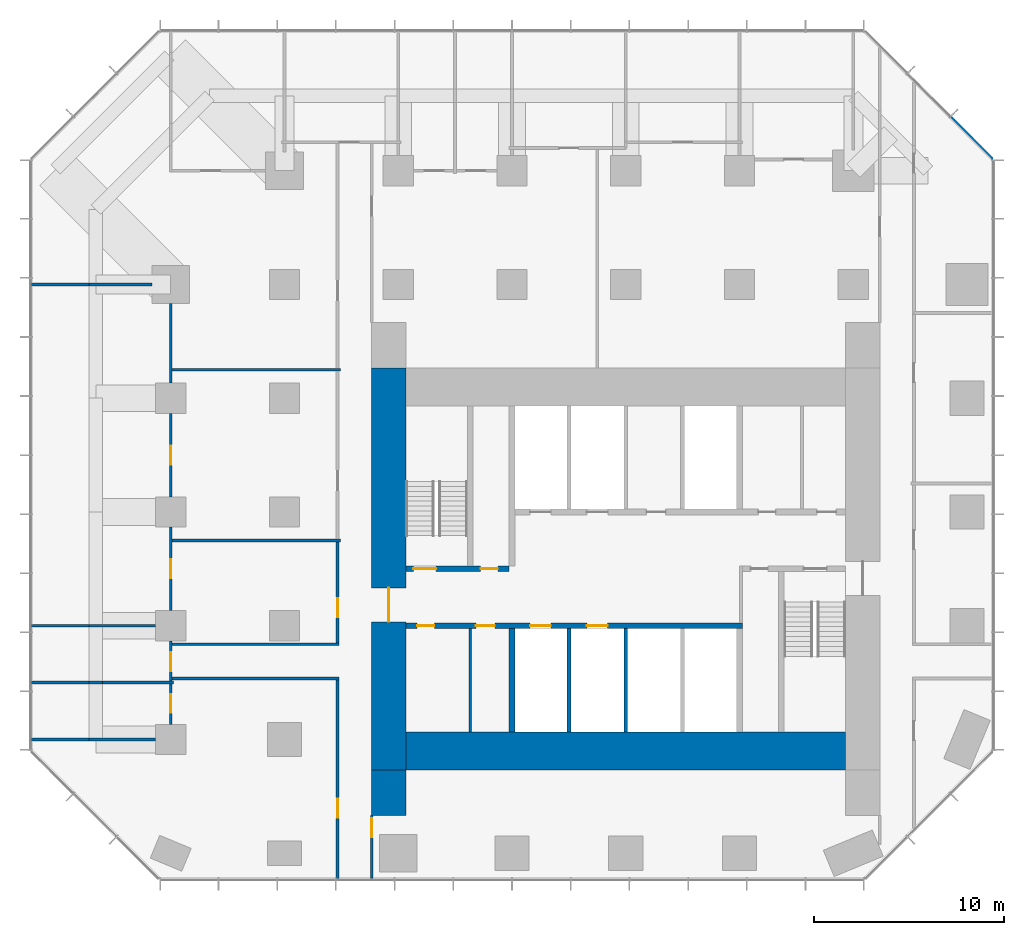
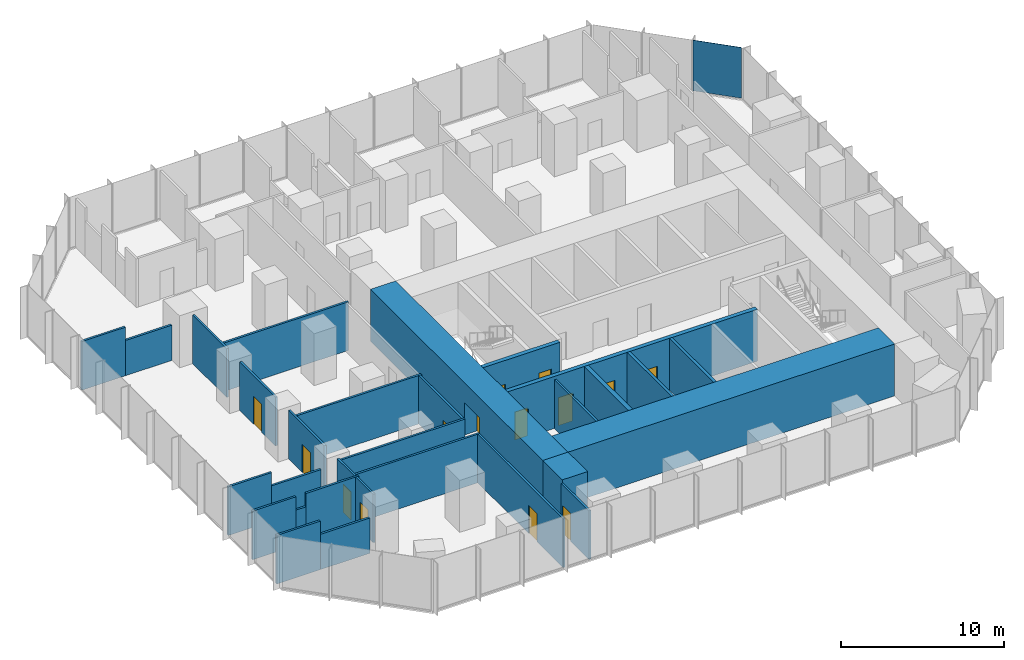
# One storey, part 8 of 12: 30 walls, 14 doors, 1 plate, 14 openings, 1 element without a shape of its own.
"""IFC4 building model written with IfcOpenShell, lengths in metres."""

import ifcopenshell
import ifcopenshell.guid

model = None  # the IFC model being written
_history = None  # IfcOwnerHistory: only IFC2X3 demands one
_inside = {}  # id of a spatial element -> (the spatial element, [elements in it])
_under = {}  # id of a project, library or spatial element -> (it, [spatial elements below it])
_declared = {}  # id of a project -> (the project, [libraries it declares])
_typed = {}  # id of a type object -> (the type object, [elements of that type])
_made_of = {}  # id of a material, layer set ... -> (it, [elements and type objects made of it])


def new_model(schema):
    """Start an empty IFC model of exactly this schema.

    Asked for "IFC4X3", IfcOpenShell would pick the latest addendum, in which some entities
    have other attributes; the version numbers below select the first issue.
    IFC2X3 requires an IfcOwnerHistory on every rooted entity: one is made here for all.
    """
    global model, _history
    if schema == "IFC4X3":
        model = ifcopenshell.file(schema_version=(4, 3, 0, 0))
    else:
        model = ifcopenshell.file(schema=schema)
    _inside.clear()
    _under.clear()
    _declared.clear()
    _typed.clear()
    _made_of.clear()
    _history = None
    if model.schema == "IFC2X3":
        org = make("IfcOrganization", Name="unknown")
        user = make(
            "IfcPersonAndOrganization",
            ThePerson=make("IfcPerson", FamilyName="unknown"),
            TheOrganization=org,
        )
        app = make(
            "IfcApplication",
            ApplicationDeveloper=org,
            Version="unknown",
            ApplicationFullName="unknown",
            ApplicationIdentifier="unknown",
        )
        _history = make(
            "IfcOwnerHistory",
            OwningUser=user,
            OwningApplication=app,
            ChangeAction="ADDED",
            CreationDate=0,
        )
    return model


def make(cls, **values):
    """One entity of the class cls with the attributes given. An attribute that is None is left unset."""
    return model.create_entity(
        cls, **{name: value for name, value in values.items() if value is not None}
    )


def rooted(cls, **values):
    """An entity with a GlobalId (a new one), such as an element, a storey or a relation."""
    return make(cls, GlobalId=ifcopenshell.guid.new(), OwnerHistory=_history, **values)


def si_unit(unit_type, name, prefix=None):
    """IfcSIUnit, for example si_unit("LENGTHUNIT", "METRE", prefix="MILLI")."""
    return make("IfcSIUnit", UnitType=unit_type, Prefix=prefix, Name=name)


def assignment(units):
    """IfcUnitAssignment: the units of a project."""
    return None if units is None else make("IfcUnitAssignment", Units=units)


def point(xyz):
    """IfcCartesianPoint."""
    return None if xyz is None else make("IfcCartesianPoint", Coordinates=xyz)


def direction(xyz):
    """IfcDirection."""
    return None if xyz is None else make("IfcDirection", DirectionRatios=xyz)


def frame(location, z_axis=None, x_axis=None):
    """IfcAxis2Placement3D, a coordinate frame: its origin and axes. An axis left out is left unset."""
    return make(
        "IfcAxis2Placement3D",
        Location=point(location),
        Axis=direction(z_axis),
        RefDirection=direction(x_axis),
    )


def frame_2d(location, x_axis=None):
    """IfcAxis2Placement2D, a coordinate frame in the plane: its origin and x axis."""
    return make(
        "IfcAxis2Placement2D", Location=point(location), RefDirection=direction(x_axis)
    )


def origin():
    """The frame at (0, 0, 0) with its axes left unset."""
    return frame((0.0, 0.0, 0.0))


def origin_2d():
    """The frame at (0, 0) in the plane with its x axis left unset."""
    return frame_2d((0.0, 0.0))


def place(relative_to, where):
    """IfcLocalPlacement: puts the frame where relative to a parent placement (None: the world)."""
    return make(
        "IfcLocalPlacement", PlacementRelTo=relative_to, RelativePlacement=where
    )


def context(
    kind, dimensions, precision=None, world=None, true_north=None, identifier=None
):
    """IfcGeometricRepresentationContext, for example the 3D "Model" context."""
    return make(
        "IfcGeometricRepresentationContext",
        ContextIdentifier=identifier,
        ContextType=kind,
        CoordinateSpaceDimension=dimensions,
        Precision=precision,
        WorldCoordinateSystem=world,
        TrueNorth=true_north,
    )


def subcontext(parent, identifier, kind, view, scale=None):
    """IfcGeometricRepresentationSubContext, for example "Body" below "Model"."""
    return make(
        "IfcGeometricRepresentationSubContext",
        ContextIdentifier=identifier,
        ContextType=kind,
        ParentContext=parent,
        TargetScale=scale,
        TargetView=view,
    )


def project(units=None, contexts=None):
    """IfcProject with its units and contexts."""
    return rooted(
        "IfcProject",
        Name="project",
        RepresentationContexts=contexts,
        UnitsInContext=assignment(units),
    )


def spatial(cls, under=None, at=None, **own):
    """A site, building, storey or space (cls), placed at a placement, below another one or the project."""
    s = rooted(cls, ObjectPlacement=at, **own)
    if under is not None:
        _under.setdefault(under.id(), (under, []))[1].append(s)
    return s


def profile(cls, at=None, kind="AREA", **sizes):
    """A parametric profile (cls). Its sizes go by their IFC names, for example OverallWidth=200.0."""
    return make(cls, ProfileType=kind, Position=at, **sizes)


def rectangle(**sizes):
    """IfcRectangleProfileDef."""
    return profile("IfcRectangleProfileDef", **sizes)


def extrude(swept, where, along, depth):
    """IfcExtrudedAreaSolid: the profile swept, set in the frame where, extruded along a direction by depth."""
    return make(
        "IfcExtrudedAreaSolid",
        SweptArea=swept,
        Position=where,
        ExtrudedDirection=direction(along),
        Depth=depth,
    )


def shape(context_of_items, identifier, shape_type, items):
    """IfcShapeRepresentation: the items that make up one representation, for example the "Body"."""
    return make(
        "IfcShapeRepresentation",
        ContextOfItems=context_of_items,
        RepresentationIdentifier=identifier,
        RepresentationType=shape_type,
        Items=items,
    )


def material(Name=None, Category=None):
    """IfcMaterial."""
    return make("IfcMaterial", Name=Name, Category=Category)


def layer(
    of_material, thickness, ventilated=None, Name=None, Category=None, Priority=None
):
    """IfcMaterialLayer: one layer of a wall or slab, of a material (None: an air gap)."""
    return make(
        "IfcMaterialLayer",
        Material=of_material,
        LayerThickness=thickness,
        IsVentilated=ventilated,
        Name=Name,
        Category=Category,
        Priority=Priority,
    )


def layer_set(layers, Name=None):
    """IfcMaterialLayerSet."""
    return make("IfcMaterialLayerSet", MaterialLayers=layers, LayerSetName=Name)


def made_of(thing, what):
    """Note that an element or type object is made of a material, layer set ...; save() writes the relation."""
    if what is not None:
        _made_of.setdefault(what.id(), (what, []))[1].append(thing)
    return thing


def type_object(cls, material=None, **own):
    """A type object (cls), such as IfcWallType, which elements share."""
    return made_of(rooted(cls, **own), material)


def element(
    cls,
    number,
    at=None,
    inside=None,
    cuts=None,
    type_object=None,
    material=None,
    context=None,
    identifier="Body",
    shape_type=None,
    held_by="IfcProductDefinitionShape",
    body=None,
    shapes=None,
    **own,
):
    """One element of the class cls, such as IfcWall. Its Tag is "e" and its number.

    at: its placement. inside: the storey or other place that contains it. cuts: it is an
    opening in that element (IfcRelVoidsElement). A single representation is given by context,
    identifier, shape_type and body (its items); several are given by shapes. held_by: the class
    of the entity that holds the representations. save() writes the other relations.
    """
    e = rooted(cls, Tag="e%d" % number, ObjectPlacement=at, **own)
    if body is not None:
        shapes = [shape(context, identifier, shape_type, body)]
    if shapes is not None:
        e.Representation = make(held_by, Representations=shapes)
    if inside is not None:
        _inside.setdefault(inside.id(), (inside, []))[1].append(e)
    if cuts is not None:
        rooted(
            "IfcRelVoidsElement", RelatingBuildingElement=cuts, RelatedOpeningElement=e
        )
    if type_object is not None:
        _typed.setdefault(type_object.id(), (type_object, []))[1].append(e)
    return made_of(e, material)


def fill(opening, filler):
    """IfcRelFillsElement: the door or window that sits in an opening."""
    return rooted(
        "IfcRelFillsElement",
        RelatingOpeningElement=opening,
        RelatedBuildingElement=filler,
    )


def aggregate(whole, parts):
    """IfcRelAggregates: a whole, such as a stair, and the parts it consists of."""
    return rooted("IfcRelAggregates", RelatingObject=whole, RelatedObjects=parts)


def save(model, path):
    """Write the relations noted so far, then the file.

    IfcRelAggregates (storeys below a building ...), IfcRelContainedInSpatialStructure (elements
    in a storey), IfcRelDefinesByType, IfcRelAssociatesMaterial and IfcRelDeclares: one each for
    every whole, place, type object, material and project.
    """
    for whole, parts in _under.values():
        aggregate(whole, parts)
    for where, things in _inside.values():
        rooted(
            "IfcRelContainedInSpatialStructure",
            RelatedElements=things,
            RelatingStructure=where,
        )
    for kind, things in _typed.values():
        rooted("IfcRelDefinesByType", RelatedObjects=things, RelatingType=kind)
    for what, things in _made_of.values():
        rooted("IfcRelAssociatesMaterial", RelatedObjects=things, RelatingMaterial=what)
    for by, libraries in _declared.values():
        rooted("IfcRelDeclares", RelatingContext=by, RelatedDefinitions=libraries)
    model.write(path)


model = new_model("IFC4")

# Units and contexts
model_context = context("Model", 3, precision=1e-05, world=origin(), true_north=direction((0.0, 1.0)))
body_context = subcontext(model_context, "Body", "Model", "MODEL_VIEW")
ifc_project = project(units=[si_unit("LENGTHUNIT", "METRE"), si_unit("AREAUNIT", "SQUARE_METRE"), si_unit("VOLUMEUNIT", "CUBIC_METRE"), si_unit("PLANEANGLEUNIT", "RADIAN"), si_unit("MASSUNIT", "GRAM", prefix="KILO")], contexts=[model_context])

# Site, building, storey
site_placement = place(None, origin())
site = spatial("IfcSite", under=ifc_project, at=site_placement, CompositionType="ELEMENT")
building_placement = place(site_placement, origin())
building = spatial("IfcBuilding", under=site, at=building_placement, Name="Highveld Stack Headquarters", CompositionType="ELEMENT")
storey_placement = place(building_placement, frame((0.0, 0.0, 101.60009765625)))
storey = spatial("IfcBuildingStorey", under=building, at=storey_placement, Name="L24", CompositionType="ELEMENT", Elevation=101.60009765625)

# Curtain wall, plate
ifc_material_1 = material(Name="Aluminium bronze anodised", Category="aluminium")
ifc_layer_1 = layer(ifc_material_1, 0.199951171875)
ifc_layer_set_1 = layer_set([ifc_layer_1], Name="Aluminium bronze anodised")
curtain_wall_type = type_object("IfcCurtainWallType", Name="CW2 TOWER CHAMFER UNITISED CURTAIN WALL", PredefinedType="NOTDEFINED", material=ifc_layer_set_1)
curtain_wall_placement = place(storey_placement, origin())
curtain_wall = element("IfcCurtainWall", 1, at=curtain_wall_placement, inside=storey, type_object=curtain_wall_type, Name="Curtain wall CW2 L24 NE", PredefinedType="NOTDEFINED")
ifc_material_2 = material(Name="Glass bronze tinted double glazed unit", Category="glass")
ifc_layer_2 = layer(ifc_material_2, 0.028076171875)
ifc_layer_set_2 = layer_set([ifc_layer_2], Name="Glass bronze tinted double glazed unit")
plate_type = type_object("IfcPlateType", Name="CW2 PANEL BRONZE TINTED DOUBLE GLAZED UNIT", PredefinedType="CURTAIN_PANEL", material=ifc_layer_set_2)
plate_placement = place(storey_placement, frame((24.239501953125, 25.740478515625, 0.10009765625), z_axis=(0.0, 0.0, 1.0), x_axis=(-0.707106781187, 0.707106781187, 0.0)))
plate = element("IfcPlate", 2, at=plate_placement, type_object=plate_type, Name="CW2 panel L24 1.1", PredefinedType="CURTAIN_PANEL", context=body_context, shape_type="SweptSolid", body=[
    extrude(rectangle(XDim=3.08251953125, YDim=0.028076171875, at=origin_2d()), origin(), (0.0, 0.0, 1.0), 3.800048828125),
])
aggregate(curtain_wall, [plate])

# Wall, opening, door
ifc_material_3 = material(Name="Concrete C60/75", Category="concrete")
ifc_layer_3 = layer(ifc_material_3, 1.800048828125)
ifc_layer_set_3 = layer_set([ifc_layer_3], Name="Concrete C60/75")
wall_type_1 = type_object("IfcWallType", Name="CORE WALL 1800 C60/75", PredefinedType="SHEAR", material=ifc_layer_set_3)
wall_1_placement = place(storey_placement, frame((-6.5, -7.60009765625, 0.0), z_axis=(0.0, 0.0, 1.0), x_axis=(0.0, 1.0, 0.0)))
wall_1 = element("IfcWall", 3, at=wall_1_placement, inside=storey, type_object=wall_type_1, Name="Core wall W L24", PredefinedType="SHEAR", context=body_context, shape_type="SweptSolid", body=[
    extrude(rectangle(XDim=21.2001953125, YDim=1.800048828125, at=frame_2d((10.60009765625, 0.0))), origin(), (0.0, 0.0, 1.0), 3.89990234375),
])
opening_1_placement = place(wall_1_placement, frame((7.800048828125, 0.0, 0.0)))
opening_1 = element("IfcOpeningElement", 4, at=opening_1_placement, cuts=wall_1, Name="Opening L24-01", PredefinedType="OPENING", context=body_context, shape_type="SweptSolid", body=[
    extrude(rectangle(XDim=1.800048828125, YDim=2.39990234375, at=frame_2d((0.89990234375, 1.199951171875))), frame((0.0, 0.909912109375, 0.0), z_axis=(0.0, -1.0, 0.0), x_axis=(1.0, 0.0, 0.0)), (0.0, 0.0, 1.0), 1.820068359375),
])
ifc_material_4 = material(Name="Steel fire door", Category="steel")
door_type_1 = type_object("IfcDoorType", Name="LOBBY FIRE DOOR D4 1800x2400", OperationType="DOUBLE_DOOR_SINGLE_SWING", PredefinedType="DOOR", material=ifc_material_4)
door_1_placement = place(opening_1_placement, origin())
door_1 = element("IfcDoor", 5, at=door_1_placement, inside=storey, type_object=door_type_1, Name="Core west door L24", OperationType="DOUBLE_DOOR_SINGLE_SWING", OverallHeight=2.39990234375, OverallWidth=1.800048828125, PredefinedType="DOOR", context=body_context, shape_type="SweptSolid", body=[
    extrude(rectangle(XDim=1.800048828125, YDim=2.39990234375, at=frame_2d((0.89990234375, 1.199951171875))), frame((0.0, 0.02490234375, 0.0), z_axis=(0.0, -1.0, 0.0), x_axis=(1.0, 0.0, 0.0)), (0.0, 0.0, 1.0), 0.050048828125),
])
fill(opening_1, door_1)

# Wall
ifc_material_5 = material(Name="Concrete C60/75", Category="concrete")
ifc_layer_4 = layer(ifc_material_5, 2.0)
ifc_layer_set_4 = layer_set([ifc_layer_4], Name="Concrete C60/75")
wall_type_2 = type_object("IfcWallType", Name="CORE WALL 2000 C60/75", PredefinedType="SHEAR", material=ifc_layer_set_4)
wall_2_placement = place(storey_placement, frame((-5.60009765625, -6.60009765625, 0.0), z_axis=(0.0, 0.0, 1.0), x_axis=(1.0, 0.0, 0.0)))
element("IfcWall", 6, at=wall_2_placement, inside=storey, type_object=wall_type_2, Name="Core wall S L24", PredefinedType="SHEAR", context=body_context, shape_type="SweptSolid", body=[
    extrude(rectangle(XDim=23.2001953125, YDim=2.0, at=frame_2d((11.60009765625, 0.0))), origin(), (0.0, 0.0, 1.0), 3.89990234375),
])

# Wall, openings, doors
ifc_material_6 = material(Name="Concrete C60/75", Category="concrete")
ifc_layer_5 = layer(ifc_material_6, 0.300048828125)
ifc_layer_set_5 = layer_set([ifc_layer_5], Name="Concrete C60/75")
wall_type_3 = type_object("IfcWallType", Name="CORE WALL 300 C60/75", PredefinedType="SHEAR", material=ifc_layer_set_5)
wall_3_placement = place(storey_placement, frame((-5.60009765625, 0.0, 0.0), z_axis=(0.0, 0.0, 1.0), x_axis=(1.0, 0.0, 0.0)))
wall_3 = element("IfcWall", 7, at=wall_3_placement, inside=storey, type_object=wall_type_3, Name="Core wall I-Y0 L24", PredefinedType="SHEAR", context=body_context, shape_type="SweptSolid", body=[
    extrude(rectangle(XDim=17.75, YDim=0.300048828125, at=frame_2d((8.875, 0.0))), origin(), (0.0, 0.0, 1.0), 3.89990234375),
])
opening_2_placement = place(wall_3_placement, frame((0.60009765625, 0.0, 0.0)))
opening_2 = element("IfcOpeningElement", 8, at=opening_2_placement, cuts=wall_3, Name="Opening L24-07", PredefinedType="OPENING", context=body_context, shape_type="SweptSolid", body=[
    extrude(rectangle(XDim=0.89990234375, YDim=2.10009765625, at=frame_2d((0.449951171875, 1.050048828125))), frame((0.0, 0.159912109375, 0.0), z_axis=(0.0, -1.0, 0.0), x_axis=(1.0, 0.0, 0.0)), (0.0, 0.0, 1.0), 0.320068359375),
])
opening_3_placement = place(wall_3_placement, frame((3.699951171875, 0.0, 0.0)))
opening_3 = element("IfcOpeningElement", 9, at=opening_3_placement, cuts=wall_3, Name="Opening L24-08", PredefinedType="OPENING", context=body_context, shape_type="SweptSolid", body=[
    extrude(rectangle(XDim=1.0, YDim=2.10009765625, at=frame_2d((0.5, 1.050048828125))), frame((0.0, 0.159912109375, 0.0), z_axis=(0.0, -1.0, 0.0), x_axis=(1.0, 0.0, 0.0)), (0.0, 0.0, 1.0), 0.320068359375),
])
opening_4_placement = place(wall_3_placement, frame((6.550048828125, 0.0, 0.0)))
opening_4 = element("IfcOpeningElement", 10, at=opening_4_placement, cuts=wall_3, Name="Opening LD", PredefinedType="OPENING", context=body_context, shape_type="SweptSolid", body=[
    extrude(rectangle(XDim=1.10009765625, YDim=2.10009765625, at=frame_2d((0.550048828125, 1.050048828125))), frame((0.0, 0.159912109375, 0.0), z_axis=(0.0, -1.0, 0.0), x_axis=(1.0, 0.0, 0.0)), (0.0, 0.0, 1.0), 0.320068359375),
])
opening_5_placement = place(wall_3_placement, frame((9.550048828125, 0.0, 0.0)))
opening_5 = element("IfcOpeningElement", 11, at=opening_5_placement, cuts=wall_3, Name="Opening LD", PredefinedType="OPENING", context=body_context, shape_type="SweptSolid", body=[
    extrude(rectangle(XDim=1.10009765625, YDim=2.10009765625, at=frame_2d((0.550048828125, 1.050048828125))), frame((0.0, 0.159912109375, 0.0), z_axis=(0.0, -1.0, 0.0), x_axis=(1.0, 0.0, 0.0)), (0.0, 0.0, 1.0), 0.320068359375),
])
ifc_material_7 = material(Name="Steel fire door", Category="steel")
door_type_2 = type_object("IfcDoorType", Name="CORE ROOM FIRE DOOR D14 1000x2100", OperationType="SINGLE_SWING_LEFT", PredefinedType="DOOR", material=ifc_material_7)
door_2_placement = place(opening_3_placement, origin())
door_2 = element("IfcDoor", 12, at=door_2_placement, inside=storey, type_object=door_type_2, Name="Cleaners store door L24", OperationType="SINGLE_SWING_LEFT", OverallHeight=2.10009765625, OverallWidth=1.0, PredefinedType="DOOR", context=body_context, shape_type="SweptSolid", body=[
    extrude(rectangle(XDim=1.0, YDim=2.10009765625, at=frame_2d((0.5, 1.050048828125))), frame((0.0, 0.02490234375, 0.0), z_axis=(0.0, -1.0, 0.0), x_axis=(1.0, 0.0, 0.0)), (0.0, 0.0, 1.0), 0.050048828125),
])
fill(opening_3, door_2)
ifc_material_8 = material(Name="Stainless steel lift landing door", Category="steel")
door_type_3 = type_object("IfcDoorType", Name="LIFT LANDING DOOR LD 1100x2100", OperationType="DOUBLE_DOOR_SLIDING", PredefinedType="USERDEFINED", material=ifc_material_8)
door_3_placement = place(opening_4_placement, origin())
door_3 = element("IfcDoor", 13, at=door_3_placement, inside=storey, type_object=door_type_3, Name="Lift landing door B1 L24", ObjectType="LIFT LANDING DOOR", OperationType="DOUBLE_DOOR_SLIDING", OverallHeight=2.10009765625, OverallWidth=1.10009765625, PredefinedType="USERDEFINED", context=body_context, shape_type="SweptSolid", body=[
    extrude(rectangle(XDim=1.10009765625, YDim=2.10009765625, at=frame_2d((0.550048828125, 1.050048828125))), frame((0.0, 0.02490234375, 0.0), z_axis=(0.0, -1.0, 0.0), x_axis=(1.0, 0.0, 0.0)), (0.0, 0.0, 1.0), 0.050048828125),
])
fill(opening_4, door_3)
door_4_placement = place(opening_5_placement, origin())
door_4 = element("IfcDoor", 14, at=door_4_placement, inside=storey, type_object=door_type_3, Name="Lift landing door B2 L24", ObjectType="LIFT LANDING DOOR", OperationType="DOUBLE_DOOR_SLIDING", OverallHeight=2.10009765625, OverallWidth=1.10009765625, PredefinedType="USERDEFINED", context=body_context, shape_type="SweptSolid", body=[
    extrude(rectangle(XDim=1.10009765625, YDim=2.10009765625, at=frame_2d((0.550048828125, 1.050048828125))), frame((0.0, 0.02490234375, 0.0), z_axis=(0.0, -1.0, 0.0), x_axis=(1.0, 0.0, 0.0)), (0.0, 0.0, 1.0), 0.050048828125),
])
fill(opening_5, door_4)
ifc_material_9 = material(Name="Timber door, painted", Category="wood")
door_type_4 = type_object("IfcDoorType", Name="WC DOOR D1 900x2100", OperationType="SINGLE_SWING_LEFT", PredefinedType="DOOR", material=ifc_material_9)
door_5_placement = place(opening_2_placement, origin())
door_5 = element("IfcDoor", 15, at=door_5_placement, inside=storey, type_object=door_type_4, Name="Female WC door L24", OperationType="SINGLE_SWING_LEFT", OverallHeight=2.10009765625, OverallWidth=0.89990234375, PredefinedType="DOOR", context=body_context, shape_type="SweptSolid", body=[
    extrude(rectangle(XDim=0.89990234375, YDim=2.10009765625, at=frame_2d((0.449951171875, 1.050048828125))), frame((0.0, 0.02490234375, 0.0), z_axis=(0.0, -1.0, 0.0), x_axis=(1.0, 0.0, 0.0)), (0.0, 0.0, 1.0), 0.050048828125),
])
fill(opening_2, door_5)

wall_4_placement = place(storey_placement, frame((-5.60009765625, 3.0, 0.0), z_axis=(0.0, 0.0, 1.0), x_axis=(1.0, 0.0, 0.0)))
wall_4 = element("IfcWall", 16, at=wall_4_placement, inside=storey, type_object=wall_type_3, Name="Core wall I-Y3W L24", PredefinedType="SHEAR", context=body_context, shape_type="SweptSolid", body=[
    extrude(rectangle(XDim=5.4501953125, YDim=0.300048828125, at=frame_2d((2.72509765625, 0.0))), origin(), (0.0, 0.0, 1.0), 3.89990234375),
])
opening_6_placement = place(wall_4_placement, frame((0.39990234375, 0.0, 0.0)))
opening_6 = element("IfcOpeningElement", 17, at=opening_6_placement, cuts=wall_4, Name="Opening L24-03", PredefinedType="OPENING", context=body_context, shape_type="SweptSolid", body=[
    extrude(rectangle(XDim=1.199951171875, YDim=2.10009765625, at=frame_2d((0.60009765625, 1.050048828125))), frame((0.0, 0.159912109375, 0.0), z_axis=(0.0, -1.0, 0.0), x_axis=(1.0, 0.0, 0.0)), (0.0, 0.0, 1.0), 0.320068359375),
])
opening_7_placement = place(wall_4_placement, frame((3.949951171875, 0.0, 0.0)))
opening_7 = element("IfcOpeningElement", 18, at=opening_7_placement, cuts=wall_4, Name="Opening L24-04", PredefinedType="OPENING", context=body_context, shape_type="SweptSolid", body=[
    extrude(rectangle(XDim=0.89990234375, YDim=2.10009765625, at=frame_2d((0.449951171875, 1.050048828125))), frame((0.0, 0.159912109375, 0.0), z_axis=(0.0, -1.0, 0.0), x_axis=(1.0, 0.0, 0.0)), (0.0, 0.0, 1.0), 0.320068359375),
])
ifc_material_10 = material(Name="Steel fire door", Category="steel")
door_type_5 = type_object("IfcDoorType", Name="RISER ACCESS DOOR D5 900x2100", OperationType="SINGLE_SWING_LEFT", PredefinedType="DOOR", material=ifc_material_10)
door_6_placement = place(opening_7_placement, origin())
door_6 = element("IfcDoor", 19, at=door_6_placement, inside=storey, type_object=door_type_5, Name="Riser R1 door L24", OperationType="SINGLE_SWING_RIGHT", OverallHeight=2.10009765625, OverallWidth=0.89990234375, PredefinedType="DOOR", context=body_context, shape_type="SweptSolid", body=[
    extrude(rectangle(XDim=0.89990234375, YDim=2.10009765625, at=frame_2d((0.449951171875, 1.050048828125))), frame((0.0, 0.02490234375, 0.0), z_axis=(0.0, -1.0, 0.0), x_axis=(1.0, 0.0, 0.0)), (0.0, 0.0, 1.0), 0.050048828125),
])
fill(opening_7, door_6)
ifc_material_11 = material(Name="Steel fire door", Category="steel")
door_type_6 = type_object("IfcDoorType", Name="STAIR FIRE DOOR D3 1200x2100", OperationType="SINGLE_SWING_LEFT", PredefinedType="DOOR", material=ifc_material_11)
door_7_placement = place(opening_6_placement, origin())
door_7 = element("IfcDoor", 20, at=door_7_placement, inside=storey, type_object=door_type_6, Name="Stair S1 door L24", OperationType="SINGLE_SWING_LEFT", OverallHeight=2.10009765625, OverallWidth=1.199951171875, PredefinedType="DOOR", context=body_context, shape_type="SweptSolid", body=[
    extrude(rectangle(XDim=1.199951171875, YDim=2.10009765625, at=frame_2d((0.60009765625, 1.050048828125))), frame((0.0, 0.02490234375, 0.0), z_axis=(0.0, -1.0, 0.0), x_axis=(1.0, 0.0, 0.0)), (0.0, 0.0, 1.0), 0.050048828125),
])
fill(opening_6, door_7)

# Walls
wall_5_placement = place(storey_placement, frame((0.0, -5.60009765625, 0.0), z_axis=(0.0, 0.0, 1.0), x_axis=(0.0, 1.0, 0.0)))
element("IfcWall", 21, at=wall_5_placement, inside=storey, type_object=wall_type_3, Name="Core wall I-X0S L24", PredefinedType="SHEAR", context=body_context, shape_type="SweptSolid", body=[
    extrude(rectangle(XDim=5.4501953125, YDim=0.300048828125, at=frame_2d((2.72509765625, 0.0))), origin(), (0.0, 0.0, 1.0), 3.89990234375),
])
ifc_material_12 = material(Name="Concrete C60/75", Category="concrete")
ifc_layer_6 = layer(ifc_material_12, 1.800048828125)
ifc_layer_set_6 = layer_set([ifc_layer_6], Name="Concrete C60/75")
wall_type_4 = type_object("IfcWallType", Name="CORE WING WALL 1800 C60/75", PredefinedType="SHEAR", material=ifc_layer_set_6)
wall_6_placement = place(storey_placement, frame((-6.5, -10.0, 0.0), z_axis=(0.0, 0.0, 1.0), x_axis=(0.0, 1.0, 0.0)))
element("IfcWall", 22, at=wall_6_placement, inside=storey, type_object=wall_type_4, Name="Core wing wall WS L24", PredefinedType="SHEAR", context=body_context, shape_type="SweptSolid", body=[
    extrude(rectangle(XDim=2.39990234375, YDim=1.800048828125, at=frame_2d((1.199951171875, 0.0))), origin(), (0.0, 0.0, 1.0), 3.89990234375),
])

# Wall, opening, door
ifc_material_13 = material(Name="Laminated glass in aluminium frame", Category="aluminium")
ifc_layer_7 = layer(ifc_material_13, 0.14990234375)
ifc_layer_set_7 = layer_set([ifc_layer_7], Name="Laminated glass in aluminium frame")
wall_type_5 = type_object("IfcWallType", Name="GLAZED PARTITION 150", PredefinedType="PARTITIONING", material=ifc_layer_set_7)
wall_7_placement = place(storey_placement, frame((-18.0, 0.800048828125, 0.0), z_axis=(0.0, 0.0, 1.0), x_axis=(0.0, 1.0, 0.0)))
wall_7 = element("IfcWall", 23, at=wall_7_placement, inside=storey, type_object=wall_type_5, Name="Glazed partition Project office L24", PredefinedType="PARTITIONING", context=body_context, shape_type="SweptSolid", body=[
    extrude(rectangle(XDim=4.39990234375, YDim=0.14990234375, at=frame_2d((2.199951171875, 0.0))), origin(), (0.0, 0.0, 1.0), 3.64990234375),
])
opening_8_placement = place(wall_7_placement, frame((1.699951171875, 0.0, 0.0)))
opening_8 = element("IfcOpeningElement", 24, at=opening_8_placement, cuts=wall_7, Name="Opening L24-14", PredefinedType="OPENING", context=body_context, shape_type="SweptSolid", body=[
    extrude(rectangle(XDim=1.0, YDim=2.10009765625, at=frame_2d((0.5, 1.050048828125))), frame((0.0, 0.0849609375, 0.0), z_axis=(0.0, -1.0, 0.0), x_axis=(1.0, 0.0, 0.0)), (0.0, 0.0, 1.0), 0.169921875),
])
ifc_material_14 = material(Name="Timber door, oiled ash", Category="wood")
door_type_7 = type_object("IfcDoorType", Name="ROOM DOOR D6 1000x2100", OperationType="SINGLE_SWING_LEFT", PredefinedType="DOOR", material=ifc_material_14)
door_8_placement = place(opening_8_placement, origin())
door_8 = element("IfcDoor", 25, at=door_8_placement, inside=storey, type_object=door_type_7, Name="Project office door 1 L24", OperationType="SINGLE_SWING_LEFT", OverallHeight=2.10009765625, OverallWidth=1.0, PredefinedType="DOOR", context=body_context, shape_type="SweptSolid", body=[
    extrude(rectangle(XDim=1.0, YDim=2.10009765625, at=frame_2d((0.5, 1.050048828125))), frame((0.0, 0.02490234375, 0.0), z_axis=(0.0, -1.0, 0.0), x_axis=(1.0, 0.0, 0.0)), (0.0, 0.0, 1.0), 0.050048828125),
])
fill(opening_8, door_8)

wall_8_placement = place(storey_placement, frame((-18.0, 6.800048828125, 0.0), z_axis=(0.0, 0.0, 1.0), x_axis=(0.0, 1.0, 0.0)))
wall_8 = element("IfcWall", 26, at=wall_8_placement, inside=storey, type_object=wall_type_5, Name="Glazed partition Project office L24", PredefinedType="PARTITIONING", context=body_context, shape_type="SweptSolid", body=[
    extrude(rectangle(XDim=4.39990234375, YDim=0.14990234375, at=frame_2d((2.199951171875, 0.0))), origin(), (0.0, 0.0, 1.0), 3.64990234375),
])
opening_9_placement = place(wall_8_placement, frame((1.699951171875, 0.0, 0.0)))
opening_9 = element("IfcOpeningElement", 27, at=opening_9_placement, cuts=wall_8, Name="Opening L24-15", PredefinedType="OPENING", context=body_context, shape_type="SweptSolid", body=[
    extrude(rectangle(XDim=1.0, YDim=2.10009765625, at=frame_2d((0.5, 1.050048828125))), frame((0.0, 0.0849609375, 0.0), z_axis=(0.0, -1.0, 0.0), x_axis=(1.0, 0.0, 0.0)), (0.0, 0.0, 1.0), 0.169921875),
])
door_9_placement = place(opening_9_placement, origin())
door_9 = element("IfcDoor", 28, at=door_9_placement, inside=storey, type_object=door_type_7, Name="Project office door 2 L24", OperationType="SINGLE_SWING_LEFT", OverallHeight=2.10009765625, OverallWidth=1.0, PredefinedType="DOOR", context=body_context, shape_type="SweptSolid", body=[
    extrude(rectangle(XDim=1.0, YDim=2.10009765625, at=frame_2d((0.5, 1.050048828125))), frame((0.0, 0.02490234375, 0.0), z_axis=(0.0, -1.0, 0.0), x_axis=(1.0, 0.0, 0.0)), (0.0, 0.0, 1.0), 0.050048828125),
])
fill(opening_9, door_9)

# Walls
wall_9_placement = place(storey_placement, frame((-18.0, 12.800048828125, 0.0), z_axis=(0.0, 0.0, 1.0), x_axis=(0.0, 1.0, 0.0)))
element("IfcWall", 29, at=wall_9_placement, inside=storey, type_object=wall_type_5, Name="Glazed partition Project office L24", PredefinedType="PARTITIONING", context=body_context, shape_type="SweptSolid", body=[
    extrude(rectangle(XDim=4.199951171875, YDim=0.14990234375, at=frame_2d((2.10009765625, 0.0))), origin(), (0.0, 0.0, 1.0), 3.64990234375),
])
ifc_material_15 = material(Name="Concrete blockwork, fair-faced", Category="masonry")
ifc_layer_8 = layer(ifc_material_15, 0.199951171875)
ifc_layer_set_8 = layer_set([ifc_layer_8], Name="Concrete blockwork, fair-faced")
wall_type_6 = type_object("IfcWallType", Name="LIFT SHAFT ENCLOSURE WALL 200 BLOCKWORK", PredefinedType="SOLIDWALL", material=ifc_layer_set_8)
for number, where, z_axis, x_axis, name in (
    (30, (3.0, -5.60009765625, 0.0), (0.0, 0.0, 1.0), (0.0, 1.0, 0.0), "Lift shaft wall L24"),
    (31, (6.0, -5.60009765625, 0.0), (0.0, 0.0, 1.0), (0.0, 1.0, 0.0), "Lift shaft wall L24"),
):
    element("IfcWall", number, at=place(storey_placement, frame(where, z_axis=z_axis, x_axis=x_axis)), inside=storey, type_object=wall_type_6, Name=name, PredefinedType="SOLIDWALL", context=body_context, shape_type="SweptSolid", body=[
        extrude(rectangle(XDim=5.4501953125, YDim=0.199951171875, at=frame_2d((2.72509765625, 0.0))), origin(), (0.0, 0.0, 1.0), 3.89990234375),
    ])
ifc_material_16 = material(Name="Gypsum plasterboard on steel studs", Category="steel")
ifc_layer_9 = layer(ifc_material_16, 0.14990234375)
ifc_layer_set_9 = layer_set([ifc_layer_9], Name="Gypsum plasterboard on steel studs")
wall_type_7 = type_object("IfcWallType", Name="PARTITION 150 PLASTERBOARD", PredefinedType="PARTITIONING", material=ifc_layer_set_9)
wall_10_placement = place(storey_placement, frame((-25.39990234375, -6.0, 0.0), z_axis=(0.0, 0.0, 1.0), x_axis=(1.0, 0.0, 0.0)))
element("IfcWall", 32, at=wall_10_placement, inside=storey, type_object=wall_type_7, Name="Partition Office L24", PredefinedType="PARTITIONING", context=body_context, shape_type="SweptSolid", body=[
    extrude(rectangle(XDim=3.08984375, YDim=0.14990234375, at=frame_2d((1.544921875, 0.0))), origin(), (0.0, 0.0, 1.0), 3.64990234375),
])
wall_11_placement = place(storey_placement, frame((-22.31005859375, -6.0, 0.0), z_axis=(0.0, 0.0, 1.0), x_axis=(1.0, 0.0, 0.0)))
element("IfcWall", 33, at=wall_11_placement, inside=storey, type_object=wall_type_7, Name="Partition Office L24", PredefinedType="PARTITIONING", context=body_context, shape_type="SweptSolid", body=[
    extrude(rectangle(XDim=3.510009765625, YDim=0.14990234375, at=frame_2d((1.7548828125, 0.0))), origin(), (0.0, 0.0, 1.0), 2.64990234375),
])
wall_12_placement = place(storey_placement, frame((-25.39990234375, -3.0, 0.0), z_axis=(0.0, 0.0, 1.0), x_axis=(1.0, 0.0, 0.0)))
element("IfcWall", 34, at=wall_12_placement, inside=storey, type_object=wall_type_7, Name="Partition Office L24", PredefinedType="PARTITIONING", context=body_context, shape_type="SweptSolid", body=[
    extrude(rectangle(XDim=3.08984375, YDim=0.14990234375, at=frame_2d((1.544921875, 0.0))), origin(), (0.0, 0.0, 1.0), 3.64990234375),
])
wall_13_placement = place(storey_placement, frame((-22.31005859375, -3.0, 0.0), z_axis=(0.0, 0.0, 1.0), x_axis=(1.0, 0.0, 0.0)))
element("IfcWall", 35, at=wall_13_placement, inside=storey, type_object=wall_type_7, Name="Partition Office L24", PredefinedType="PARTITIONING", context=body_context, shape_type="SweptSolid", body=[
    extrude(rectangle(XDim=0.719970703125, YDim=0.14990234375, at=frame_2d((0.35986328125, 0.0))), origin(), (0.0, 0.0, 1.0), 2.64990234375),
])
wall_14_placement = place(storey_placement, frame((-21.590087890625, -3.0, 0.0), z_axis=(0.0, 0.0, 1.0), x_axis=(1.0, 0.0, 0.0)))
element("IfcWall", 36, at=wall_14_placement, inside=storey, type_object=wall_type_7, Name="Partition Office L24", PredefinedType="PARTITIONING", context=body_context, shape_type="SweptSolid", body=[
    extrude(rectangle(XDim=3.739990234375, YDim=0.14990234375, at=frame_2d((1.8701171875, 0.0))), origin(), (0.0, 0.0, 1.0), 3.64990234375),
])
wall_15_placement = place(storey_placement, frame((-25.39990234375, 0.0, 0.0), z_axis=(0.0, 0.0, 1.0), x_axis=(1.0, 0.0, 0.0)))
element("IfcWall", 37, at=wall_15_placement, inside=storey, type_object=wall_type_7, Name="Partition Office / Project office L24", PredefinedType="PARTITIONING", context=body_context, shape_type="SweptSolid", body=[
    extrude(rectangle(XDim=3.08984375, YDim=0.14990234375, at=frame_2d((1.544921875, 0.0))), origin(), (0.0, 0.0, 1.0), 3.64990234375),
])
wall_16_placement = place(storey_placement, frame((-22.31005859375, 0.0, 0.0), z_axis=(0.0, 0.0, 1.0), x_axis=(1.0, 0.0, 0.0)))
element("IfcWall", 38, at=wall_16_placement, inside=storey, type_object=wall_type_7, Name="Partition Office / Project office L24", PredefinedType="PARTITIONING", context=body_context, shape_type="SweptSolid", body=[
    extrude(rectangle(XDim=3.510009765625, YDim=0.14990234375, at=frame_2d((1.7548828125, 0.0))), origin(), (0.0, 0.0, 1.0), 2.64990234375),
])
wall_17_placement = place(storey_placement, frame((-25.39990234375, 18.0, 0.0), z_axis=(0.0, 0.0, 1.0), x_axis=(1.0, 0.0, 0.0)))
element("IfcWall", 39, at=wall_17_placement, inside=storey, type_object=wall_type_7, Name="Partition Project office L24", PredefinedType="PARTITIONING", context=body_context, shape_type="SweptSolid", body=[
    extrude(rectangle(XDim=3.08984375, YDim=0.14990234375, at=frame_2d((1.544921875, 0.0))), origin(), (0.0, 0.0, 1.0), 3.64990234375),
])
wall_18_placement = place(storey_placement, frame((-22.31005859375, 18.0, 0.0), z_axis=(0.0, 0.0, 1.0), x_axis=(1.0, 0.0, 0.0)))
element("IfcWall", 40, at=wall_18_placement, inside=storey, type_object=wall_type_7, Name="Partition Project office L24", PredefinedType="PARTITIONING", context=body_context, shape_type="SweptSolid", body=[
    extrude(rectangle(XDim=3.31005859375, YDim=0.14990234375, at=frame_2d((1.655029296875, 0.0))), origin(), (0.0, 0.0, 1.0), 2.64990234375),
])

# Wall, opening, door
wall_19_placement = place(storey_placement, frame((-18.0, -5.199951171875, 0.0), z_axis=(0.0, 0.0, 1.0), x_axis=(0.0, 1.0, 0.0)))
wall_19 = element("IfcWall", 41, at=wall_19_placement, inside=storey, type_object=wall_type_7, Name="Partition Office L24", PredefinedType="PARTITIONING", context=body_context, shape_type="SweptSolid", body=[
    extrude(rectangle(XDim=2.125, YDim=0.14990234375, at=frame_2d((1.0625, 0.0))), origin(), (0.0, 0.0, 1.0), 3.64990234375),
])
opening_10_placement = place(wall_19_placement, frame((0.60009765625, 0.0, 0.0)))
opening_10 = element("IfcOpeningElement", 42, at=opening_10_placement, cuts=wall_19, Name="Opening L24-12", PredefinedType="OPENING", context=body_context, shape_type="SweptSolid", body=[
    extrude(rectangle(XDim=1.0, YDim=2.10009765625, at=frame_2d((0.5, 1.050048828125))), frame((0.0, 0.0849609375, 0.0), z_axis=(0.0, -1.0, 0.0), x_axis=(1.0, 0.0, 0.0)), (0.0, 0.0, 1.0), 0.169921875),
])
door_10_placement = place(opening_10_placement, origin())
door_10 = element("IfcDoor", 43, at=door_10_placement, inside=storey, type_object=door_type_7, Name="Office door 1 L24", OperationType="SINGLE_SWING_RIGHT", OverallHeight=2.10009765625, OverallWidth=1.0, PredefinedType="DOOR", context=body_context, shape_type="SweptSolid", body=[
    extrude(rectangle(XDim=1.0, YDim=2.10009765625, at=frame_2d((0.5, 1.050048828125))), frame((0.0, 0.02490234375, 0.0), z_axis=(0.0, -1.0, 0.0), x_axis=(1.0, 0.0, 0.0)), (0.0, 0.0, 1.0), 0.050048828125),
])
fill(opening_10, door_10)

wall_20_placement = place(storey_placement, frame((-18.0, -2.925048828125, 0.0), z_axis=(0.0, 0.0, 1.0), x_axis=(0.0, 1.0, 0.0)))
wall_20 = element("IfcWall", 44, at=wall_20_placement, inside=storey, type_object=wall_type_7, Name="Partition Office L24", PredefinedType="PARTITIONING", context=body_context, shape_type="SweptSolid", body=[
    extrude(rectangle(XDim=2.125, YDim=0.14990234375, at=frame_2d((1.0625, 0.0))), origin(), (0.0, 0.0, 1.0), 3.64990234375),
])
opening_11_placement = place(wall_20_placement, frame((0.52490234375, 0.0, 0.0)))
opening_11 = element("IfcOpeningElement", 45, at=opening_11_placement, cuts=wall_20, Name="Opening L24-13", PredefinedType="OPENING", context=body_context, shape_type="SweptSolid", body=[
    extrude(rectangle(XDim=1.0, YDim=2.10009765625, at=frame_2d((0.5, 1.050048828125))), frame((0.0, 0.0849609375, 0.0), z_axis=(0.0, -1.0, 0.0), x_axis=(1.0, 0.0, 0.0)), (0.0, 0.0, 1.0), 0.169921875),
])
door_11_placement = place(opening_11_placement, origin())
door_11 = element("IfcDoor", 46, at=door_11_placement, inside=storey, type_object=door_type_7, Name="Office door 1 L24", OperationType="SINGLE_SWING_LEFT", OverallHeight=2.10009765625, OverallWidth=1.0, PredefinedType="DOOR", context=body_context, shape_type="SweptSolid", body=[
    extrude(rectangle(XDim=1.0, YDim=2.10009765625, at=frame_2d((0.5, 1.050048828125))), frame((0.0, 0.02490234375, 0.0), z_axis=(0.0, -1.0, 0.0), x_axis=(1.0, 0.0, 0.0)), (0.0, 0.0, 1.0), 0.050048828125),
])
fill(opening_11, door_11)

# Walls
for number, where, z_axis, x_axis, name in (
    (47, (-17.925048828125, -2.77490234375, 0.0), (0.0, 0.0, 1.0), (1.0, 0.0, 0.0), "Partition office neighbourhood L24"),
    (48, (-17.925048828125, -0.97509765625, 0.0), (0.0, 0.0, 1.0), (1.0, 0.0, 0.0), "Partition office neighbourhood L24"),
):
    element("IfcWall", number, at=place(storey_placement, frame(where, z_axis=z_axis, x_axis=x_axis)), inside=storey, type_object=wall_type_7, Name=name, PredefinedType="PARTITIONING", context=body_context, shape_type="SweptSolid", body=[
        extrude(rectangle(XDim=8.800048828125, YDim=0.14990234375, at=frame_2d((4.39990234375, 0.0))), origin(), (0.0, 0.0, 1.0), 3.64990234375),
    ])
for number, where, z_axis, x_axis, name in (
    (49, (-17.925048828125, 4.5, 0.0), (0.0, 0.0, 1.0), (1.0, 0.0, 0.0), "Partition office neighbourhood L24"),
    (50, (-17.925048828125, 13.5, 0.0), (0.0, 0.0, 1.0), (1.0, 0.0, 0.0), "Partition office neighbourhood L24"),
):
    element("IfcWall", number, at=place(storey_placement, frame(where, z_axis=z_axis, x_axis=x_axis)), inside=storey, type_object=wall_type_7, Name=name, PredefinedType="PARTITIONING", context=body_context, shape_type="SweptSolid", body=[
        extrude(rectangle(XDim=8.875, YDim=0.14990234375, at=frame_2d((4.4375, 0.0))), origin(), (0.0, 0.0, 1.0), 3.64990234375),
    ])

# Wall, opening, door
wall_21_placement = place(storey_placement, frame((-9.199951171875, -13.35009765625, 0.0), z_axis=(0.0, 0.0, 1.0), x_axis=(0.0, 1.0, 0.0)))
wall_21 = element("IfcWall", 51, at=wall_21_placement, inside=storey, type_object=wall_type_7, Name="Partition office neighbourhood L24", PredefinedType="PARTITIONING", context=body_context, shape_type="SweptSolid", body=[
    extrude(rectangle(XDim=10.5, YDim=0.14990234375, at=frame_2d((5.25, 0.0))), origin(), (0.0, 0.0, 1.0), 3.64990234375),
])
opening_12_placement = place(wall_21_placement, frame((3.23388671875, 0.0, 0.0)))
opening_12 = element("IfcOpeningElement", 52, at=opening_12_placement, cuts=wall_21, Name="Opening L24-23", PredefinedType="OPENING", context=body_context, shape_type="SweptSolid", body=[
    extrude(rectangle(XDim=1.0, YDim=2.10009765625, at=frame_2d((0.5, 1.050048828125))), frame((0.0, 0.0849609375, 0.0), z_axis=(0.0, -1.0, 0.0), x_axis=(1.0, 0.0, 0.0)), (0.0, 0.0, 1.0), 0.169921875),
])
door_12_placement = place(opening_12_placement, origin())
door_12 = element("IfcDoor", 53, at=door_12_placement, inside=storey, type_object=door_type_7, Name="Office neighbourhood door L24", OperationType="SINGLE_SWING_LEFT", OverallHeight=2.10009765625, OverallWidth=1.0, PredefinedType="DOOR", context=body_context, shape_type="SweptSolid", body=[
    extrude(rectangle(XDim=1.0, YDim=2.10009765625, at=frame_2d((0.5, 1.050048828125))), frame((0.0, 0.02490234375, 0.0), z_axis=(0.0, -1.0, 0.0), x_axis=(1.0, 0.0, 0.0)), (0.0, 0.0, 1.0), 0.050048828125),
])
fill(opening_12, door_12)

wall_22_placement = place(storey_placement, frame((-9.199951171875, -0.89990234375, 0.0), z_axis=(0.0, 0.0, 1.0), x_axis=(0.0, 1.0, 0.0)))
wall_22 = element("IfcWall", 54, at=wall_22_placement, inside=storey, type_object=wall_type_7, Name="Partition office neighbourhood L24", PredefinedType="PARTITIONING", context=body_context, shape_type="SweptSolid", body=[
    extrude(rectangle(XDim=5.324951171875, YDim=0.14990234375, at=frame_2d((2.66259765625, 0.0))), origin(), (0.0, 0.0, 1.0), 3.64990234375),
])
opening_13_placement = place(wall_22_placement, frame((1.341064453125, 0.0, 0.0)))
opening_13 = element("IfcOpeningElement", 55, at=opening_13_placement, cuts=wall_22, Name="Opening L24-32", PredefinedType="OPENING", context=body_context, shape_type="SweptSolid", body=[
    extrude(rectangle(XDim=1.0, YDim=2.10009765625, at=frame_2d((0.5, 1.050048828125))), frame((0.0, 0.0849609375, 0.0), z_axis=(0.0, -1.0, 0.0), x_axis=(1.0, 0.0, 0.0)), (0.0, 0.0, 1.0), 0.169921875),
])
door_13_placement = place(opening_13_placement, origin())
door_13 = element("IfcDoor", 56, at=door_13_placement, inside=storey, type_object=door_type_7, Name="Office neighbourhood door L24", OperationType="SINGLE_SWING_LEFT", OverallHeight=2.10009765625, OverallWidth=1.0, PredefinedType="DOOR", context=body_context, shape_type="SweptSolid", body=[
    extrude(rectangle(XDim=1.0, YDim=2.10009765625, at=frame_2d((0.5, 1.050048828125))), frame((0.0, 0.02490234375, 0.0), z_axis=(0.0, -1.0, 0.0), x_axis=(1.0, 0.0, 0.0)), (0.0, 0.0, 1.0), 0.050048828125),
])
fill(opening_13, door_13)

wall_23_placement = place(storey_placement, frame((-7.39990234375, -13.39990234375, 0.0), z_axis=(0.0, 0.0, 1.0), x_axis=(0.0, 1.0, 0.0)))
wall_23 = element("IfcWall", 57, at=wall_23_placement, inside=storey, type_object=wall_type_7, Name="Partition office neighbourhood L24", PredefinedType="PARTITIONING", context=body_context, shape_type="SweptSolid", body=[
    extrude(rectangle(XDim=3.39990234375, YDim=0.14990234375, at=frame_2d((1.699951171875, 0.0))), origin(), (0.0, 0.0, 1.0), 3.64990234375),
])
opening_14_placement = place(wall_23_placement, frame((2.25, 0.0, 0.0)))
opening_14 = element("IfcOpeningElement", 58, at=opening_14_placement, cuts=wall_23, Name="Opening L24-33", PredefinedType="OPENING", context=body_context, shape_type="SweptSolid", body=[
    extrude(rectangle(XDim=1.0, YDim=2.10009765625, at=frame_2d((0.5, 1.050048828125))), frame((0.0, 0.0849609375, 0.0), z_axis=(0.0, -1.0, 0.0), x_axis=(1.0, 0.0, 0.0)), (0.0, 0.0, 1.0), 0.169921875),
])
door_14_placement = place(opening_14_placement, origin())
door_14 = element("IfcDoor", 59, at=door_14_placement, inside=storey, type_object=door_type_7, Name="Office neighbourhood door L24", OperationType="SINGLE_SWING_RIGHT", OverallHeight=2.10009765625, OverallWidth=1.0, PredefinedType="DOOR", context=body_context, shape_type="SweptSolid", body=[
    extrude(rectangle(XDim=1.0, YDim=2.10009765625, at=frame_2d((0.5, 1.050048828125))), frame((0.0, 0.02490234375, 0.0), z_axis=(0.0, -1.0, 0.0), x_axis=(1.0, 0.0, 0.0)), (0.0, 0.0, 1.0), 0.050048828125),
])
fill(opening_14, door_14)

# Wall
ifc_material_17 = material(Name="Concrete blockwork, tiled", Category="masonry")
ifc_layer_10 = layer(ifc_material_17, 0.14990234375)
ifc_layer_set_10 = layer_set([ifc_layer_10], Name="Concrete blockwork, tiled")
wall_type_8 = type_object("IfcWallType", Name="WC PARTITION 150", PredefinedType="PLUMBINGWALL", material=ifc_layer_set_10)
wall_24_placement = place(storey_placement, frame((-2.199951171875, -5.60009765625, 0.0), z_axis=(0.0, 0.0, 1.0), x_axis=(0.0, 1.0, 0.0)))
element("IfcWall", 60, at=wall_24_placement, inside=storey, type_object=wall_type_8, Name="Toilet partition L24", PredefinedType="PLUMBINGWALL", context=body_context, shape_type="SweptSolid", body=[
    extrude(rectangle(XDim=5.4501953125, YDim=0.14990234375, at=frame_2d((2.72509765625, 0.0))), origin(), (0.0, 0.0, 1.0), 3.64990234375),
])

save(model, "model.ifc")
